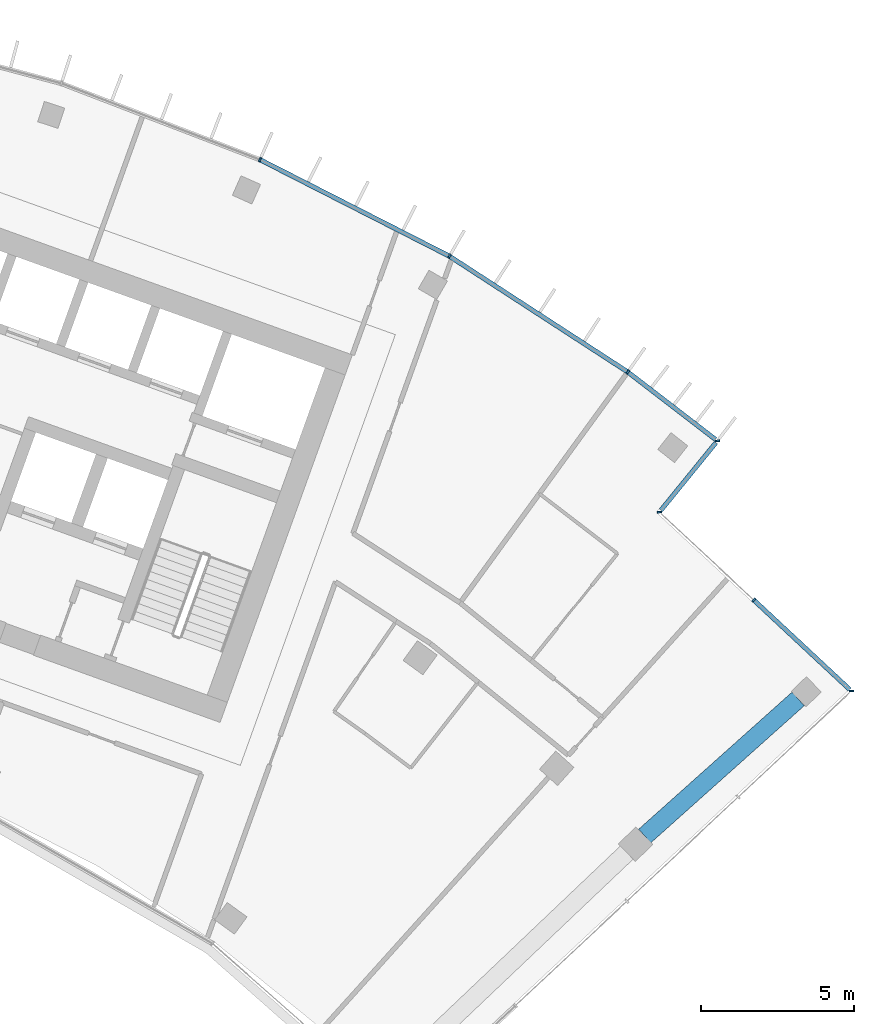
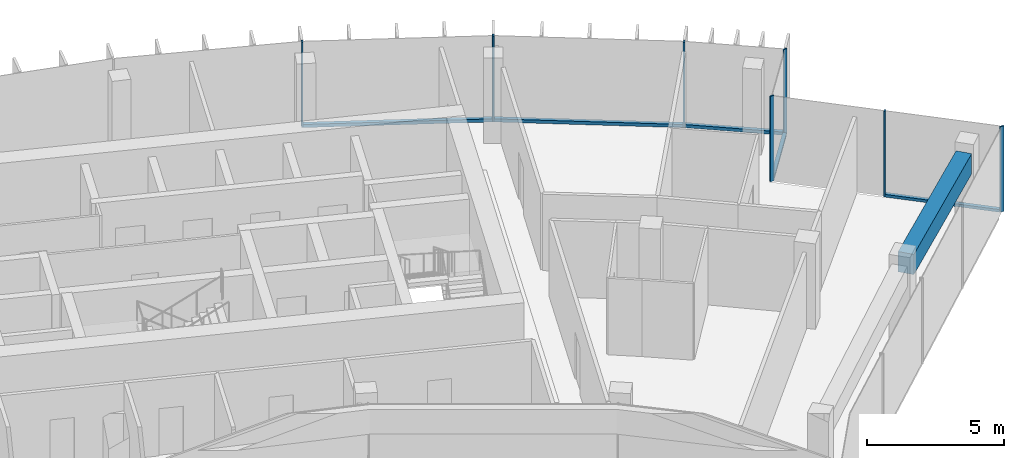
# One storey, part 9 of 19: 12 members, 1 beam, 3 elements without a shape of their own.
"""IFC4 building model written with IfcOpenShell, lengths in metres."""

from ifc_helpers import new_model, si_unit, direction, frame, origin, origin_2d, place, context, subcontext, project, spatial, rectangle, extrude, material, layer, layer_set, material_profile, profile_set, type_object, element, aggregate, save


model = new_model("IFC4")

# Units and contexts
model_context = context("Model", 3, precision=1e-05, world=origin(), true_north=direction((0.0, 1.0)))
body_context = subcontext(model_context, "Body", "Model", "MODEL_VIEW")
ifc_project = project(units=[si_unit("LENGTHUNIT", "METRE"), si_unit("AREAUNIT", "SQUARE_METRE"), si_unit("VOLUMEUNIT", "CUBIC_METRE"), si_unit("PLANEANGLEUNIT", "RADIAN"), si_unit("MASSUNIT", "GRAM", prefix="KILO")], contexts=[model_context])

# Site, building, storey
site_placement = place(None, origin())
site = spatial("IfcSite", under=ifc_project, at=site_placement, CompositionType="ELEMENT")
building_placement = place(site_placement, origin())
building = spatial("IfcBuilding", under=site, at=building_placement, Name="Stone Belt Terrace Tower", CompositionType="ELEMENT")
storey_placement = place(building_placement, frame((0.0, 0.0, 303.60009765625)))
storey = spatial("IfcBuildingStorey", under=building, at=storey_placement, Name="L74", CompositionType="ELEMENT", Elevation=303.60009765625)

# Curtain wall, members
ifc_material_1 = material(Name="Aluminium 6063-T6 anodised frame", Category="aluminium")
ifc_layer_1 = layer(ifc_material_1, 0.14990234375)
ifc_layer_set_1 = layer_set([ifc_layer_1], Name="CW-A unitised convex-face curtain wall")
curtain_wall_type_1 = type_object("IfcCurtainWallType", Name="CW-A unitised convex-face curtain wall", PredefinedType="NOTDEFINED", material=ifc_layer_set_1)
curtain_wall_1_placement = place(storey_placement, origin())
curtain_wall_1 = element("IfcCurtainWall", 1, at=curtain_wall_1_placement, inside=storey, type_object=curtain_wall_type_1, Name="CW-A convex face L74", PredefinedType="NOTDEFINED")
ifc_material_profile_1 = material_profile(ifc_material_1, rectangle(XDim=0.14990234375, YDim=0.06005859375, at=origin_2d()), Name="Aluminium 6063-T6 60x150")
ifc_profile_set_1 = profile_set([ifc_material_profile_1], Name="Aluminium 6063-T6 anodised frame")
member_type_1 = type_object("IfcMemberType", Name="CW-A mullion 60 x 150", PredefinedType="MULLION", material=ifc_profile_set_1)
member_1_placement = place(storey_placement, frame((42.068359375, 51.60205078125, 0.0), z_axis=(0.0, 0.0, 1.0), x_axis=(-0.993258004644, -0.115924700604, 0.0)))
member_1 = element("IfcMember", 2, at=member_1_placement, type_object=member_type_1, Name="CW-A mullion 1", PredefinedType="MULLION", context=body_context, shape_type="SweptSolid", body=[
    extrude(rectangle(XDim=0.14990234375, YDim=0.06005859375, at=origin_2d()), origin(), (0.0, 0.0, 1.0), 3.7998046875),
])
member_2_placement = place(storey_placement, frame((39.131103515625, 53.86083984375, 0.0), z_axis=(0.0, 0.0, 1.0), x_axis=(-0.577587125789, -0.816329046477, 0.0)))
member_2 = element("IfcMember", 3, at=member_2_placement, type_object=member_type_1, Name="CW-A mullion 2", PredefinedType="MULLION", context=body_context, shape_type="SweptSolid", body=[
    extrude(rectangle(XDim=0.14990234375, YDim=0.06005859375, at=origin_2d()), origin(), (0.0, 0.0, 1.0), 3.7998046875),
])
member_3_placement = place(storey_placement, frame((33.28759765625, 57.65576171875, 0.0), z_axis=(0.0, 0.0, 1.0), x_axis=(-0.5, -0.866025403784, 0.0)))
member_3 = element("IfcMember", 4, at=member_3_placement, type_object=member_type_1, Name="CW-A mullion 3", PredefinedType="MULLION", context=body_context, shape_type="SweptSolid", body=[
    extrude(rectangle(XDim=0.14990234375, YDim=0.06005859375, at=origin_2d()), origin(), (0.0, 0.0, 1.0), 3.7998046875),
])
member_4_placement = place(storey_placement, frame((27.07861328125, 60.8193359375, 0.0), z_axis=(0.0, 0.0, 1.0), x_axis=(-0.406736643076, -0.913545457643, 0.0)))
member_4 = element("IfcMember", 5, at=member_4_placement, type_object=member_type_1, Name="CW-A mullion 4", PredefinedType="MULLION", context=body_context, shape_type="SweptSolid", body=[
    extrude(rectangle(XDim=0.14990234375, YDim=0.06005859375, at=origin_2d()), origin(), (0.0, 0.0, 1.0), 3.7998046875),
])
ifc_material_profile_2 = material_profile(ifc_material_1, rectangle(XDim=0.14990234375, YDim=0.139892578125, at=origin_2d()), Name="Aluminium 6063-T6 150x140")
ifc_profile_set_2 = profile_set([ifc_material_profile_2], Name="Aluminium 6063-T6 anodised frame")
member_type_2 = type_object("IfcMemberType", Name="CW-A transom 140 x 150", PredefinedType="USERDEFINED", material=ifc_profile_set_2)
member_5_placement = place(storey_placement, frame((42.00927734375, 51.6474609375, 0.06982421875), z_axis=(-0.79269461464, 0.609618936648, 0.0), x_axis=(-0.609618936648, -0.79269461464, 0.0)))
member_5 = element("IfcMember", 6, at=member_5_placement, type_object=member_type_2, Name="CW-A transom 1.1", ObjectType="TRANSOM", PredefinedType="USERDEFINED", context=body_context, shape_type="SweptSolid", body=[
    extrude(rectangle(XDim=0.14990234375, YDim=0.139892578125, at=origin_2d()), origin(), (0.0, 0.0, 1.0), 3.597900390625),
])
member_6_placement = place(storey_placement, frame((39.103515625, 53.87890625, 0.06982421875), z_axis=(-0.83868440714, 0.544617723931, 0.0), x_axis=(-0.544617723931, -0.83868440714, 0.0)))
member_6 = element("IfcMember", 7, at=member_6_placement, type_object=member_type_2, Name="CW-A transom 2.1", ObjectType="TRANSOM", PredefinedType="USERDEFINED", context=body_context, shape_type="SweptSolid", body=[
    extrude(rectangle(XDim=0.14990234375, YDim=0.139892578125, at=origin_2d()), origin(), (0.0, 0.0, 1.0), 6.90087890625),
])
member_7_placement = place(storey_placement, frame((33.25732421875, 57.671142578125, 0.06982421875), z_axis=(-0.891012226264, 0.453979308613, 0.0), x_axis=(-0.453979308613, -0.891012226264, 0.0)))
member_7 = element("IfcMember", 8, at=member_7_placement, type_object=member_type_2, Name="CW-A transom 3.1", ObjectType="TRANSOM", PredefinedType="USERDEFINED", context=body_context, shape_type="SweptSolid", body=[
    extrude(rectangle(XDim=0.14990234375, YDim=0.139892578125, at=origin_2d()), origin(), (0.0, 0.0, 1.0), 6.90087890625),
])
aggregate(curtain_wall_1, [member_1, member_2, member_3, member_4, member_5, member_6, member_7])

ifc_layer_2 = layer(ifc_material_1, 0.14990234375)
ifc_layer_set_2 = layer_set([ifc_layer_2], Name="CW-C stick curtain wall, horn ends and notches")
curtain_wall_type_2 = type_object("IfcCurtainWallType", Name="CW-C stick curtain wall, horn ends and notches", PredefinedType="NOTDEFINED", material=ifc_layer_set_2)
curtain_wall_2_placement = place(storey_placement, origin())
curtain_wall_2 = element("IfcCurtainWall", 9, at=curtain_wall_2_placement, inside=storey, type_object=curtain_wall_type_2, Name="CW-C notch face L74", PredefinedType="NOTDEFINED")
ifc_material_profile_3 = material_profile(ifc_material_1, rectangle(XDim=0.14990234375, YDim=0.06005859375, at=origin_2d()), Name="Aluminium 6063-T6 60x150")
ifc_profile_set_3 = profile_set([ifc_material_profile_3], Name="Aluminium 6063-T6 anodised frame")
member_type_3 = type_object("IfcMemberType", Name="CW-C mullion 60 x 150", PredefinedType="MULLION", material=ifc_profile_set_3)
member_8_placement = place(storey_placement, frame((46.458740234375, 43.405517578125, 0.0), z_axis=(0.0, 0.0, 1.0), x_axis=(-0.999999447771, -0.00105093149, 0.0)))
member_8 = element("IfcMember", 10, at=member_8_placement, type_object=member_type_3, Name="CW-C mullion 1", PredefinedType="MULLION", context=body_context, shape_type="SweptSolid", body=[
    extrude(rectangle(XDim=0.14990234375, YDim=0.06005859375, at=origin_2d()), origin(), (0.0, 0.0, 1.0), 3.7998046875),
])
member_9_placement = place(storey_placement, frame((43.260009765625, 46.388671875, 0.0), z_axis=(0.0, 0.0, 1.0), x_axis=(-0.682013767261, -0.731339333871, 0.0)))
member_9 = element("IfcMember", 11, at=member_9_placement, type_object=member_type_3, Name="CW-C mullion 2", PredefinedType="MULLION", context=body_context, shape_type="SweptSolid", body=[
    extrude(rectangle(XDim=0.14990234375, YDim=0.06005859375, at=origin_2d()), origin(), (0.0, 0.0, 1.0), 3.7998046875),
])

# Curtain wall, member
curtain_wall_3_placement = place(storey_placement, origin())
curtain_wall_3 = element("IfcCurtainWall", 12, at=curtain_wall_3_placement, inside=storey, type_object=curtain_wall_type_2, Name="CW-C notch face L74", PredefinedType="NOTDEFINED")
member_10_placement = place(storey_placement, frame((40.1708984375, 49.269287109375, 0.0), z_axis=(0.0, 0.0, 1.0), x_axis=(-0.997639702696, -0.068666029474, 0.0)))
member_10 = element("IfcMember", 13, at=member_10_placement, type_object=member_type_3, Name="CW-C mullion 1", PredefinedType="MULLION", context=body_context, shape_type="SweptSolid", body=[
    extrude(rectangle(XDim=0.14990234375, YDim=0.06005859375, at=origin_2d()), origin(), (0.0, 0.0, 1.0), 3.7998046875),
])

# Member
ifc_material_profile_4 = material_profile(ifc_material_1, rectangle(XDim=0.14990234375, YDim=0.1201171875, at=origin_2d()), Name="Aluminium 6063-T6 150x120")
ifc_profile_set_4 = profile_set([ifc_material_profile_4], Name="Aluminium 6063-T6 anodised frame")
member_type_4 = type_object("IfcMemberType", Name="CW-C transom 120 x 150", PredefinedType="USERDEFINED", material=ifc_profile_set_4)
member_11_placement = place(storey_placement, frame((46.40380859375, 43.456787109375, 0.059814453125), z_axis=(-0.731353784958, 0.681998270693, 0.0), x_axis=(-0.681998270693, -0.731353784958, 0.0)))
member_11 = element("IfcMember", 14, at=member_11_placement, type_object=member_type_4, Name="CW-C transom 1.1", ObjectType="TRANSOM", PredefinedType="USERDEFINED", context=body_context, shape_type="SweptSolid", body=[
    extrude(rectangle(XDim=0.14990234375, YDim=0.1201171875, at=origin_2d()), origin(), (0.0, 0.0, 1.0), 4.268798828125),
])

aggregate(curtain_wall_2, [member_8, member_9, member_11])

member_12_placement = place(storey_placement, frame((40.217041015625, 49.325927734375, 0.059814453125), z_axis=(0.631026504781, 0.775761271439, 0.0), x_axis=(-0.775761271439, 0.631026504781, 0.0)))
member_12 = element("IfcMember", 15, at=member_12_placement, type_object=member_type_4, Name="CW-C transom 1.1", ObjectType="TRANSOM", PredefinedType="USERDEFINED", context=body_context, shape_type="SweptSolid", body=[
    extrude(rectangle(XDim=0.14990234375, YDim=0.1201171875, at=origin_2d()), origin(), (0.0, 0.0, 1.0), 2.859130859375),
])

aggregate(curtain_wall_3, [member_10, member_12])

# Beam
ifc_material_2 = material(Name="Concrete B60", Category="concrete")
ifc_material_profile_5 = material_profile(ifc_material_2, rectangle(XDim=0.60009765625, YDim=0.89990234375, at=origin_2d()), Name="RC 600x900")
ifc_profile_set_5 = profile_set([ifc_material_profile_5], Name="Concrete B60")
beam_type = type_object("IfcBeamType", Name="Edge beam RC 600x900 B60", PredefinedType="SPANDREL", material=ifc_profile_set_5)
beam_placement = place(storey_placement, frame((39.68701171875, 38.65380859375, 2.949951171875), z_axis=(0.745651125692, 0.666336550666, 0.0), x_axis=(-0.666336550666, 0.745651125692, 0.0)))
element("IfcBeam", 16, at=beam_placement, inside=storey, type_object=beam_type, Name="Edge beam L74 B Q to R", PredefinedType="SPANDREL", context=body_context, shape_type="SweptSolid", body=[
    extrude(rectangle(XDim=0.60009765625, YDim=0.89990234375, at=origin_2d()), origin(), (0.0, 0.0, 1.0), 6.744140625),
])

save(model, "model.ifc")
